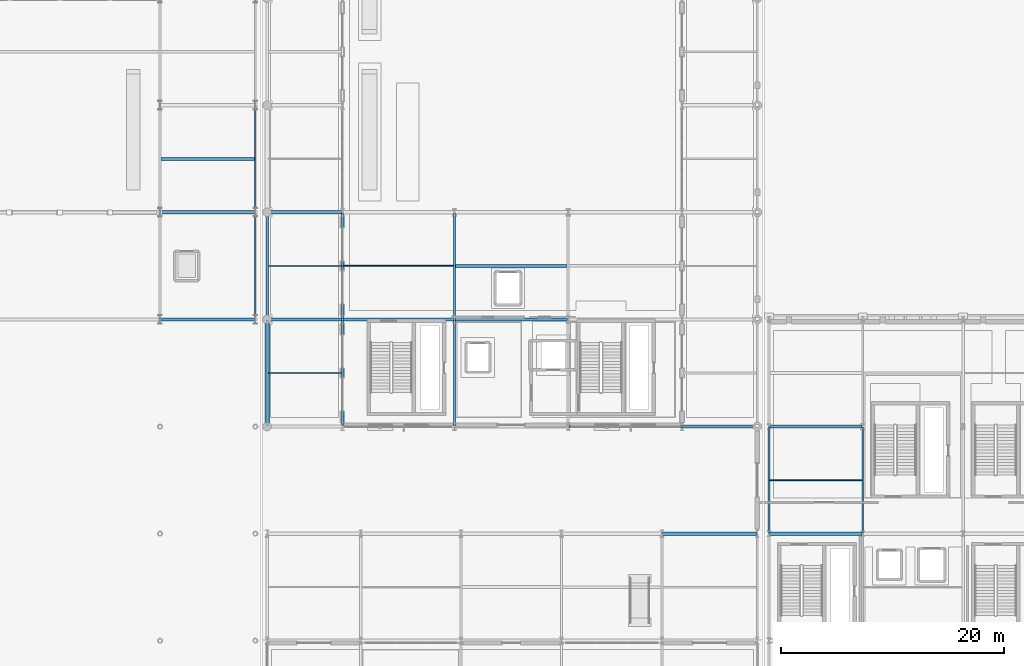
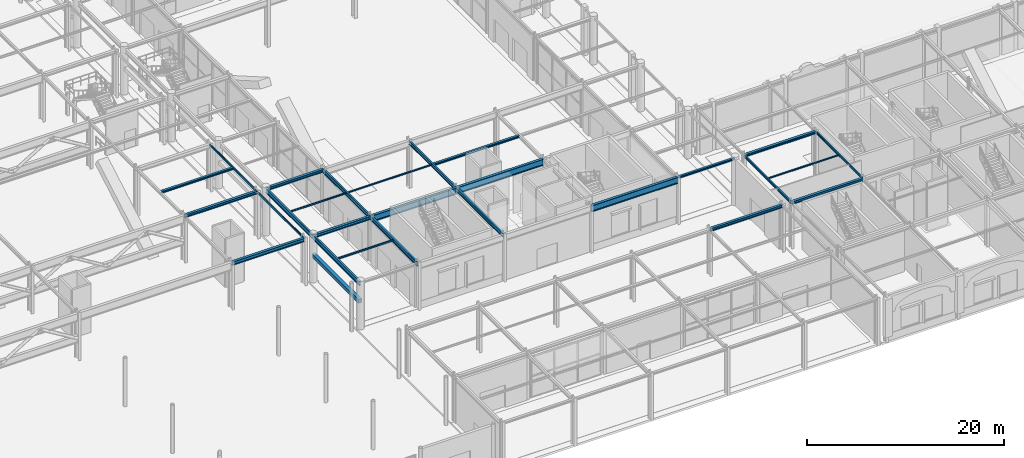
# One storey, part 32 of 113: 28 beams.
"""IFC4 building model written with IfcOpenShell, lengths in metres."""

from ifc_helpers import new_model, si_unit, direction, frame, origin, origin_2d, place, context, subcontext, project, spatial, rectangle, hollow_rectangle, i_section, extrude, material, material_profile, profile_set, type_object, element, save


model = new_model("IFC4")

# Units and contexts
model_context = context("Model", 3, precision=1e-05, world=origin(), true_north=direction((0.0, 1.0)))
body_context = subcontext(model_context, "Body", "Model", "MODEL_VIEW")
ifc_project = project(units=[si_unit("LENGTHUNIT", "METRE"), si_unit("AREAUNIT", "SQUARE_METRE"), si_unit("VOLUMEUNIT", "CUBIC_METRE"), si_unit("PLANEANGLEUNIT", "RADIAN"), si_unit("MASSUNIT", "GRAM", prefix="KILO")], contexts=[model_context])

# Site, building, storey
site_placement = place(None, origin())
site = spatial("IfcSite", under=ifc_project, at=site_placement, CompositionType="ELEMENT")
building_placement = place(site_placement, origin())
building = spatial("IfcBuilding", under=site, at=building_placement, Name="Myrtia Square Station", CompositionType="ELEMENT")
storey_placement = place(building_placement, origin())
storey = spatial("IfcBuildingStorey", under=building, at=storey_placement, Name="L00", CompositionType="ELEMENT", Elevation=0.0)

# Beams
ifc_material_1 = material(Name="Steel S355", Category="steel")
ifc_material_profile_1 = material_profile(ifc_material_1, i_section(OverallWidth=0.300048828125, OverallDepth=0.35009765625, WebThickness=0.010009765625, FlangeThickness=0.017578125, FilletRadius=0.027099609375, at=origin_2d()), Name="HEA 360")
ifc_profile_set_1 = profile_set([ifc_material_profile_1], Name="Steel S355")
beam_type_1 = type_object("IfcBeamType", Name="BM-HEA360", PredefinedType="BEAM", material=ifc_profile_set_1)
beam_1_placement = place(storey_placement, frame((63.050048828125, 48.0, 5.56494140625), z_axis=(1.0, 0.0, 0.0), x_axis=(0.0, 1.0, 0.0)))
element("IfcBeam", 1, at=beam_1_placement, inside=storey, type_object=beam_type_1, Name="Structural girder BMX-L00-0252", PredefinedType="BEAM", context=body_context, shape_type="SweptSolid", body=[
    extrude(i_section(OverallWidth=0.300048828125, OverallDepth=0.35009765625, WebThickness=0.010009765625, FlangeThickness=0.017578125, FilletRadius=0.027099609375, at=origin_2d()), origin(), (0.0, 0.0, 1.0), 8.449951171875),
])
ifc_material_profile_2 = material_profile(ifc_material_1, i_section(OverallWidth=0.300048828125, OverallDepth=0.43994140625, WebThickness=0.011474609375, FlangeThickness=0.02099609375, FilletRadius=0.027099609375, at=origin_2d()), Name="HEA 450")
ifc_profile_set_2 = profile_set([ifc_material_profile_2], Name="Steel S355")
beam_type_2 = type_object("IfcBeamType", Name="BM-HEA450", PredefinedType="BEAM", material=ifc_profile_set_2)
beam_2_placement = place(storey_placement, frame((63.050048828125, 38.39990234375, 5.52001953125), z_axis=(1.0, 0.0, 0.0), x_axis=(0.0, 1.0, 0.0)))
element("IfcBeam", 2, at=beam_2_placement, inside=storey, type_object=beam_type_2, Name="Structural girder BMX-L00-0251", PredefinedType="BEAM", context=body_context, shape_type="SweptSolid", body=[
    extrude(i_section(OverallWidth=0.300048828125, OverallDepth=0.43994140625, WebThickness=0.011474609375, FlangeThickness=0.02099609375, FilletRadius=0.027099609375, at=origin_2d()), origin(), (0.0, 0.0, 1.0), 8.449951171875),
])
ifc_material_profile_3 = material_profile(ifc_material_1, i_section(OverallWidth=0.300048828125, OverallDepth=0.300048828125, WebThickness=0.010986328125, FlangeThickness=0.01904296875, FilletRadius=0.027099609375, at=origin_2d()), Name="HEB 300")
ifc_profile_set_3 = profile_set([ifc_material_profile_3], Name="Steel S355")
beam_type_3 = type_object("IfcBeamType", Name="BM-HEB300", PredefinedType="BEAM", material=ifc_profile_set_3)
beam_3_placement = place(storey_placement, frame((117.64990234375, 28.800048828125, 5.60009765625), z_axis=(1.0, 0.0, 0.0), x_axis=(0.0, 1.0, 0.0)))
element("IfcBeam", 3, at=beam_3_placement, inside=storey, type_object=beam_type_3, Name="Structural girder BMX-L00-0351", PredefinedType="BEAM", context=body_context, shape_type="SweptSolid", body=[
    extrude(i_section(OverallWidth=0.300048828125, OverallDepth=0.300048828125, WebThickness=0.010986328125, FlangeThickness=0.01904296875, FilletRadius=0.027099609375, at=origin_2d()), origin(), (0.0, 0.0, 1.0), 8.300048828125),
])
ifc_material_profile_4 = material_profile(ifc_material_1, i_section(OverallWidth=0.300048828125, OverallDepth=0.360107421875, WebThickness=0.012451171875, FlangeThickness=0.0224609375, FilletRadius=0.027099609375, at=origin_2d()), Name="HEB 360")
ifc_profile_set_4 = profile_set([ifc_material_profile_4], Name="Steel S355")
beam_type_4 = type_object("IfcBeamType", Name="BM-HEB360", PredefinedType="BEAM", material=ifc_profile_set_4)
beam_4_placement = place(storey_placement, frame((72.64990234375, 48.0, 5.56005859375), z_axis=(1.0, 0.0, 0.0), x_axis=(0.0, 1.0, 0.0)))
element("IfcBeam", 4, at=beam_4_placement, inside=storey, type_object=beam_type_4, Name="Structural girder BMX-L00-0279", PredefinedType="BEAM", context=body_context, shape_type="SweptSolid", body=[
    extrude(i_section(OverallWidth=0.300048828125, OverallDepth=0.360107421875, WebThickness=0.012451171875, FlangeThickness=0.0224609375, FilletRadius=0.027099609375, at=origin_2d()), origin(), (0.0, 0.0, 1.0), 6.650146484375),
])
beam_5_placement = place(storey_placement, frame((108.050048828125, 19.199951171875, 5.580078125), z_axis=(1.0, 0.0, 0.0), x_axis=(0.0, 1.0, 0.0)))
element("IfcBeam", 5, at=beam_5_placement, inside=storey, type_object=beam_type_4, Name="Structural girder BMX-L00-0343", PredefinedType="BEAM", context=body_context, shape_type="SweptSolid", body=[
    extrude(i_section(OverallWidth=0.300048828125, OverallDepth=0.360107421875, WebThickness=0.012451171875, FlangeThickness=0.0224609375, FilletRadius=0.027099609375, at=origin_2d()), origin(), (0.0, 0.0, 1.0), 8.449951171875),
])
beam_6_placement = place(storey_placement, frame((117.64990234375, 19.199951171875, 5.570068359375), z_axis=(1.0, 0.0, 0.0), x_axis=(0.0, 1.0, 0.0)))
element("IfcBeam", 6, at=beam_6_placement, inside=storey, type_object=beam_type_4, Name="Structural girder BMX-L00-0344", PredefinedType="BEAM", context=body_context, shape_type="SweptSolid", body=[
    extrude(i_section(OverallWidth=0.300048828125, OverallDepth=0.360107421875, WebThickness=0.012451171875, FlangeThickness=0.0224609375, FilletRadius=0.027099609375, at=origin_2d()), origin(), (0.0, 0.0, 1.0), 8.300048828125),
])
ifc_material_profile_5 = material_profile(ifc_material_1, i_section(OverallWidth=0.300048828125, OverallDepth=0.39990234375, WebThickness=0.013427734375, FlangeThickness=0.02392578125, FilletRadius=0.027099609375, at=origin_2d()), Name="HEB 400")
ifc_profile_set_5 = profile_set([ifc_material_profile_5], Name="Steel S355")
beam_type_5 = type_object("IfcBeamType", Name="BM-HEB400", PredefinedType="BEAM", material=ifc_profile_set_5)
beam_7_placement = place(storey_placement, frame((72.64990234375, 38.39990234375, 5.5400390625), z_axis=(1.0, 0.0, 0.0), x_axis=(0.0, 1.0, 0.0)))
element("IfcBeam", 7, at=beam_7_placement, inside=storey, type_object=beam_type_5, Name="Structural girder BMX-L00-0277", PredefinedType="BEAM", context=body_context, shape_type="SweptSolid", body=[
    extrude(i_section(OverallWidth=0.300048828125, OverallDepth=0.39990234375, WebThickness=0.013427734375, FlangeThickness=0.02392578125, FilletRadius=0.027099609375, at=origin_2d()), origin(), (0.0, 0.0, 1.0), 6.650146484375),
])
ifc_material_profile_6 = material_profile(ifc_material_1, i_section(OverallWidth=0.135009765625, OverallDepth=0.27001953125, WebThickness=0.006591796875, FlangeThickness=0.01025390625, FilletRadius=0.014892578125, at=origin_2d()), Name="IPE 270")
ifc_profile_set_6 = profile_set([ifc_material_profile_6], Name="Steel S355")
beam_type_6 = type_object("IfcBeamType", Name="BM-IPE270", PredefinedType="BEAM", material=ifc_profile_set_6)
beam_8_placement = place(storey_placement, frame((126.0, 19.25, 5.614990234375), z_axis=(0.0, 1.0, 0.0), x_axis=(-1.0, 0.0, 0.0)))
element("IfcBeam", 8, at=beam_8_placement, inside=storey, type_object=beam_type_6, Name="Structural girder BMY-L00-0372", PredefinedType="BEAM", context=body_context, shape_type="SweptSolid", body=[
    extrude(i_section(OverallWidth=0.135009765625, OverallDepth=0.27001953125, WebThickness=0.006591796875, FlangeThickness=0.01025390625, FilletRadius=0.014892578125, at=origin_2d()), origin(), (0.0, 0.0, 1.0), 9.5),
])
ifc_material_profile_7 = material_profile(ifc_material_1, i_section(OverallWidth=0.14990234375, OverallDepth=0.300048828125, WebThickness=0.007080078125, FlangeThickness=0.0107421875, FilletRadius=0.014892578125, at=origin_2d()), Name="IPE 300")
ifc_profile_set_7 = profile_set([ifc_material_profile_7], Name="Steel S355")
beam_type_7 = type_object("IfcBeamType", Name="BM-IPE300", PredefinedType="BEAM", material=ifc_profile_set_7)
beam_9_placement = place(storey_placement, frame((117.60009765625, 19.25, 5.60009765625), z_axis=(0.0, 1.0, 0.0), x_axis=(-1.0, 0.0, 0.0)))
element("IfcBeam", 9, at=beam_9_placement, inside=storey, type_object=beam_type_7, Name="Structural girder BMY-L00-0368", PredefinedType="BEAM", context=body_context, shape_type="SweptSolid", body=[
    extrude(i_section(OverallWidth=0.14990234375, OverallDepth=0.300048828125, WebThickness=0.007080078125, FlangeThickness=0.0107421875, FilletRadius=0.014892578125, at=origin_2d()), origin(), (0.0, 0.0, 1.0), 9.5),
])
ifc_material_profile_8 = material_profile(ifc_material_1, i_section(OverallWidth=0.18994140625, OverallDepth=0.449951171875, WebThickness=0.009521484375, FlangeThickness=0.0146484375, FilletRadius=0.02099609375, at=origin_2d()), Name="IPE 450")
ifc_profile_set_8 = profile_set([ifc_material_profile_8], Name="Steel S355")
beam_type_8 = type_object("IfcBeamType", Name="BM-IPE450", PredefinedType="BEAM", material=ifc_profile_set_8)
for number, where, z_axis, x_axis, name in (
    (10, (89.39990234375, 28.85009765625, 5.514892578125), (0.0, 1.0, 0.0), (-1.0, 0.0, 0.0), "Structural girder BMY-L00-0303"),
    (11, (89.39990234375, 38.449951171875, 5.514892578125), (0.0, 1.0, 0.0), (-1.0, 0.0, 0.0), "Structural girder BMY-L00-0304"),
):
    element("IfcBeam", number, at=place(storey_placement, frame(where, z_axis=z_axis, x_axis=x_axis)), inside=storey, type_object=beam_type_8, Name=name, PredefinedType="BEAM", context=body_context, shape_type="SweptSolid", body=[
        extrude(i_section(OverallWidth=0.18994140625, OverallDepth=0.449951171875, WebThickness=0.009521484375, FlangeThickness=0.0146484375, FilletRadius=0.02099609375, at=origin_2d()), origin(), (0.0, 0.0, 1.0), 9.5),
    ])
ifc_material_profile_9 = material_profile(ifc_material_1, i_section(OverallWidth=0.199951171875, OverallDepth=0.5, WebThickness=0.01025390625, FlangeThickness=0.01611328125, FilletRadius=0.02099609375, at=origin_2d()), Name="IPE 500")
ifc_profile_set_9 = profile_set([ifc_material_profile_9], Name="Steel S355")
beam_type_9 = type_object("IfcBeamType", Name="BM-IPE500", PredefinedType="BEAM", material=ifc_profile_set_9)
for number, where, z_axis, x_axis, name in (
    (12, (79.35009765625, 28.85009765625, 5.489990234375), (0.0, 1.0, 0.0), (-1.0, 0.0, 0.0), "Structural girder BMY-L00-0296"),
    (13, (79.35009765625, 38.449951171875, 5.489990234375), (0.0, 1.0, 0.0), (-1.0, 0.0, 0.0), "Structural girder BMY-L00-0297"),
):
    element("IfcBeam", number, at=place(storey_placement, frame(where, z_axis=z_axis, x_axis=x_axis)), inside=storey, type_object=beam_type_9, Name=name, PredefinedType="BEAM", context=body_context, shape_type="SweptSolid", body=[
        extrude(i_section(OverallWidth=0.199951171875, OverallDepth=0.5, WebThickness=0.01025390625, FlangeThickness=0.01611328125, FilletRadius=0.02099609375, at=origin_2d()), origin(), (0.0, 0.0, 1.0), 9.5),
    ])
ifc_material_profile_10 = material_profile(ifc_material_1, i_section(OverallWidth=0.2099609375, OverallDepth=0.550048828125, WebThickness=0.010986328125, FlangeThickness=0.01708984375, FilletRadius=0.02392578125, at=origin_2d()), Name="IPE 550")
ifc_profile_set_10 = profile_set([ifc_material_profile_10], Name="Steel S355")
beam_type_10 = type_object("IfcBeamType", Name="BM-IPE550", PredefinedType="BEAM", material=ifc_profile_set_10)
for number, where, z_axis, x_axis, name in (
    (14, (72.60009765625, 28.85009765625, 5.465087890625), (0.0, 1.0, 0.0), (-1.0, 0.0, 0.0), "Structural girder BMY-L00-0289"),
    (15, (72.60009765625, 38.449951171875, 5.465087890625), (0.0, 1.0, 0.0), (-1.0, 0.0, 0.0), "Structural girder BMY-L00-0290"),
):
    element("IfcBeam", number, at=place(storey_placement, frame(where, z_axis=z_axis, x_axis=x_axis)), inside=storey, type_object=beam_type_10, Name=name, PredefinedType="BEAM", context=body_context, shape_type="SweptSolid", body=[
        extrude(i_section(OverallWidth=0.2099609375, OverallDepth=0.550048828125, WebThickness=0.010986328125, FlangeThickness=0.01708984375, FilletRadius=0.02392578125, at=origin_2d()), origin(), (0.0, 0.0, 1.0), 9.5),
    ])
ifc_material_profile_11 = material_profile(ifc_material_1, i_section(OverallWidth=0.260009765625, OverallDepth=0.25, WebThickness=0.007568359375, FlangeThickness=0.012451171875, FilletRadius=0.02392578125, at=origin_2d()), Name="HEA 260")
ifc_profile_set_11 = profile_set([ifc_material_profile_11], Name="Steel S355")
beam_type_11 = type_object("IfcBeamType", Name="JST-HEA260", PredefinedType="JOIST", material=ifc_profile_set_11)
beam_10_placement = place(storey_placement, frame((63.0849609375, 52.800048828125, 5.614990234375), z_axis=(1.0, 0.0, 0.0), x_axis=(0.0, 1.0, 0.0)))
element("IfcBeam", 16, at=beam_10_placement, inside=storey, type_object=beam_type_11, Name="Composite floor joist L00-0007", PredefinedType="JOIST", context=body_context, shape_type="SweptSolid", body=[
    extrude(i_section(OverallWidth=0.260009765625, OverallDepth=0.25, WebThickness=0.007568359375, FlangeThickness=0.012451171875, FilletRadius=0.02392578125, at=origin_2d()), origin(), (0.0, 0.0, 1.0), 8.39013671875),
])
beam_11_placement = place(storey_placement, frame((89.4951171875, 43.199951171875, 5.614990234375), z_axis=(1.0, 0.0, 0.0), x_axis=(0.0, 1.0, 0.0)))
element("IfcBeam", 17, at=beam_11_placement, inside=storey, type_object=beam_type_11, Name="Composite floor joist L00-0018", PredefinedType="JOIST", context=body_context, shape_type="SweptSolid", body=[
    extrude(i_section(OverallWidth=0.260009765625, OverallDepth=0.25, WebThickness=0.007568359375, FlangeThickness=0.012451171875, FilletRadius=0.02392578125, at=origin_2d()), origin(), (0.0, 0.0, 1.0), 10.014892578125),
])
ifc_material_profile_12 = material_profile(ifc_material_1, i_section(OverallWidth=0.091064453125, OverallDepth=0.179931640625, WebThickness=0.00537109375, FlangeThickness=0.008056640625, FilletRadius=0.009033203125, at=origin_2d()), Name="IPE 180")
ifc_profile_set_12 = profile_set([ifc_material_profile_12], Name="Steel S355")
beam_type_12 = type_object("IfcBeamType", Name="JST-IPE180", PredefinedType="JOIST", material=ifc_profile_set_12)
beam_12_placement = place(storey_placement, frame((79.449951171875, 43.199951171875, 5.64990234375), z_axis=(1.0, 0.0, 0.0), x_axis=(0.0, 1.0, 0.0)))
element("IfcBeam", 18, at=beam_12_placement, inside=storey, type_object=beam_type_12, Name="Composite floor joist L00-0016", PredefinedType="JOIST", context=body_context, shape_type="SweptSolid", body=[
    extrude(i_section(OverallWidth=0.091064453125, OverallDepth=0.179931640625, WebThickness=0.00537109375, FlangeThickness=0.008056640625, FilletRadius=0.009033203125, at=origin_2d()), origin(), (0.0, 0.0, 1.0), 9.85498046875),
])
beam_13_placement = place(storey_placement, frame((117.675048828125, 24.0, 5.659912109375), z_axis=(1.0, 0.0, 0.0), x_axis=(0.0, 1.0, 0.0)))
element("IfcBeam", 19, at=beam_13_placement, inside=storey, type_object=beam_type_12, Name="Composite floor joist L00-0044", PredefinedType="JOIST", context=body_context, shape_type="SweptSolid", body=[
    extrude(i_section(OverallWidth=0.091064453125, OverallDepth=0.179931640625, WebThickness=0.00537109375, FlangeThickness=0.008056640625, FilletRadius=0.009033203125, at=origin_2d()), origin(), (0.0, 0.0, 1.0), 8.257568359375),
])
ifc_material_profile_13 = material_profile(ifc_material_1, i_section(OverallWidth=0.10009765625, OverallDepth=0.199951171875, WebThickness=0.005615234375, FlangeThickness=0.008544921875, FilletRadius=0.011962890625, at=origin_2d()), Name="IPE 200")
ifc_profile_set_13 = profile_set([ifc_material_profile_13], Name="Steel S355")
beam_type_13 = type_object("IfcBeamType", Name="JST-IPE200", PredefinedType="JOIST", material=ifc_profile_set_13)
beam_14_placement = place(storey_placement, frame((72.705078125, 43.199951171875, 5.639892578125), z_axis=(1.0, 0.0, 0.0), x_axis=(0.0, 1.0, 0.0)))
element("IfcBeam", 20, at=beam_14_placement, inside=storey, type_object=beam_type_13, Name="Composite floor joist L00-0011", PredefinedType="JOIST", context=body_context, shape_type="SweptSolid", body=[
    extrude(i_section(OverallWidth=0.10009765625, OverallDepth=0.199951171875, WebThickness=0.005615234375, FlangeThickness=0.008544921875, FilletRadius=0.011962890625, at=origin_2d()), origin(), (0.0, 0.0, 1.0), 6.544921875),
])
ifc_material_profile_14 = material_profile(ifc_material_1, i_section(OverallWidth=0.110107421875, OverallDepth=0.219970703125, WebThickness=0.005859375, FlangeThickness=0.00927734375, FilletRadius=0.011962890625, at=origin_2d()), Name="IPE 220")
ifc_profile_set_14 = profile_set([ifc_material_profile_14], Name="Steel S355")
beam_type_14 = type_object("IfcBeamType", Name="JST-IPE220", PredefinedType="JOIST", material=ifc_profile_set_14)
beam_15_placement = place(storey_placement, frame((72.705078125, 33.60009765625, 5.6298828125), z_axis=(1.0, 0.0, 0.0), x_axis=(0.0, 1.0, 0.0)))
element("IfcBeam", 21, at=beam_15_placement, inside=storey, type_object=beam_type_14, Name="Composite floor joist L00-0010", PredefinedType="JOIST", context=body_context, shape_type="SweptSolid", body=[
    extrude(i_section(OverallWidth=0.110107421875, OverallDepth=0.219970703125, WebThickness=0.005859375, FlangeThickness=0.00927734375, FilletRadius=0.011962890625, at=origin_2d()), origin(), (0.0, 0.0, 1.0), 6.544921875),
])
ifc_material_2 = material(Name="Concrete C35/45", Category="concrete")
ifc_material_profile_15 = material_profile(ifc_material_2, rectangle(XDim=0.39990234375, YDim=0.449951171875, at=origin_2d()), Name="LNT 400x450")
ifc_profile_set_15 = profile_set([ifc_material_profile_15], Name="Concrete C35/45")
beam_type_15 = type_object("IfcBeamType", Name="LNT-RC400x450", PredefinedType="LINTEL", material=ifc_profile_set_15)
beam_16_placement = place(storey_placement, frame((72.60009765625, 28.85009765625, 3.25), z_axis=(0.0, 1.0, 0.0), x_axis=(-1.0, 0.0, 0.0)))
element("IfcBeam", 22, at=beam_16_placement, inside=storey, type_object=beam_type_15, Name="Reinforced concrete opening lintel L00-01", PredefinedType="LINTEL", context=body_context, shape_type="SweptSolid", body=[
    extrude(rectangle(XDim=0.39990234375, YDim=0.449951171875, at=origin_2d()), origin(), (0.0, 0.0, 1.0), 9.5),
])
ifc_material_profile_16 = material_profile(ifc_material_1, i_section(OverallWidth=0.239990234375, OverallDepth=0.239990234375, WebThickness=0.010009765625, FlangeThickness=0.01708984375, FilletRadius=0.02099609375, at=origin_2d()), Name="HEB 240")
ifc_profile_set_16 = profile_set([ifc_material_profile_16], Name="Steel S355")
beam_type_16 = type_object("IfcBeamType", Name="SPN-HEB240", PredefinedType="SPANDREL", material=ifc_profile_set_16)
beam_17_placement = place(storey_placement, frame((109.85009765625, 28.800048828125, 5.6201171875), z_axis=(1.0, 0.0, 0.0), x_axis=(0.0, 1.0, 0.0)))
element("IfcBeam", 23, at=beam_17_placement, inside=storey, type_object=beam_type_16, Name="Structural girder SPN-L00-0077", PredefinedType="SPANDREL", context=body_context, shape_type="SweptSolid", body=[
    extrude(i_section(OverallWidth=0.239990234375, OverallDepth=0.239990234375, WebThickness=0.010009765625, FlangeThickness=0.01708984375, FilletRadius=0.02099609375, at=origin_2d()), origin(), (0.0, 0.0, 1.0), 6.64990234375),
])
ifc_material_profile_17 = material_profile(ifc_material_1, hollow_rectangle(XDim=0.14990234375, YDim=0.25, WallThickness=0.012451171875, InnerFilletRadius=0.012451171875, OuterFilletRadius=0.02490234375, at=origin_2d()), Name="RHS 250x150x12.5")
ifc_profile_set_17 = profile_set([ifc_material_profile_17], Name="Steel S355")
beam_type_17 = type_object("IfcBeamType", Name="SPN-RHS250", PredefinedType="SPANDREL", material=ifc_profile_set_17)
for number, where, z_axis, x_axis, name in (
    (24, (71.550048828125, 38.449951171875, 5.614990234375), (0.0, 1.0, 0.0), (-1.0, 0.0, 0.0), "Structural girder SPNY-L00-0071"),
    (25, (71.550048828125, 48.050048828125, 5.614990234375), (0.0, 1.0, 0.0), (-1.0, 0.0, 0.0), "Structural girder SPNY-L00-0072"),
):
    element("IfcBeam", number, at=place(storey_placement, frame(where, z_axis=z_axis, x_axis=x_axis)), inside=storey, type_object=beam_type_17, Name=name, PredefinedType="SPANDREL", context=body_context, shape_type="SweptSolid", body=[
        extrude(hollow_rectangle(XDim=0.14990234375, YDim=0.25, WallThickness=0.012451171875, InnerFilletRadius=0.012451171875, OuterFilletRadius=0.02490234375, at=origin_2d()), origin(), (0.0, 0.0, 1.0), 9.5),
    ])
ifc_material_profile_18 = material_profile(ifc_material_1, i_section(OverallWidth=0.300048828125, OverallDepth=0.800048828125, WebThickness=0.017578125, FlangeThickness=0.032958984375, FilletRadius=0.030029296875, at=origin_2d()), Name="HEB 800")
ifc_profile_set_18 = profile_set([ifc_material_profile_18], Name="Steel S355")
beam_type_18 = type_object("IfcBeamType", Name="TG-HEB800", PredefinedType="USERDEFINED", material=ifc_profile_set_18)
beam_18_placement = place(storey_placement, frame((99.64990234375, 28.800048828125, 5.340087890625), z_axis=(1.0, 0.0, 0.0), x_axis=(0.0, 1.0, 0.0)))
element("IfcBeam", 26, at=beam_18_placement, inside=storey, type_object=beam_type_18, Name="Structural girder TG-L00-0082", ObjectType="TRANSFER GIRDER", PredefinedType="USERDEFINED", context=body_context, shape_type="SweptSolid", body=[
    extrude(i_section(OverallWidth=0.300048828125, OverallDepth=0.800048828125, WebThickness=0.017578125, FlangeThickness=0.032958984375, FilletRadius=0.030029296875, at=origin_2d()), origin(), (0.0, 0.0, 1.0), 10.10009765625),
])
beam_19_placement = place(storey_placement, frame((79.39990234375, 38.39990234375, 5.340087890625), z_axis=(1.0, 0.0, 0.0), x_axis=(0.0, 1.0, 0.0)))
element("IfcBeam", 27, at=beam_19_placement, inside=storey, type_object=beam_type_18, Name="Structural girder TG-L00-0083", ObjectType="TRANSFER GIRDER", PredefinedType="USERDEFINED", context=body_context, shape_type="SweptSolid", body=[
    extrude(i_section(OverallWidth=0.300048828125, OverallDepth=0.800048828125, WebThickness=0.017578125, FlangeThickness=0.032958984375, FilletRadius=0.030029296875, at=origin_2d()), origin(), (0.0, 0.0, 1.0), 9.9501953125),
])
beam_20_placement = place(storey_placement, frame((89.449951171875, 38.39990234375, 5.340087890625), z_axis=(1.0, 0.0, 0.0), x_axis=(0.0, 1.0, 0.0)))
element("IfcBeam", 28, at=beam_20_placement, inside=storey, type_object=beam_type_18, Name="Structural girder TG-L00-0084", ObjectType="TRANSFER GIRDER", PredefinedType="USERDEFINED", context=body_context, shape_type="SweptSolid", body=[
    extrude(i_section(OverallWidth=0.300048828125, OverallDepth=0.800048828125, WebThickness=0.017578125, FlangeThickness=0.032958984375, FilletRadius=0.030029296875, at=origin_2d()), origin(), (0.0, 0.0, 1.0), 10.10009765625),
])

save(model, "model.ifc")
